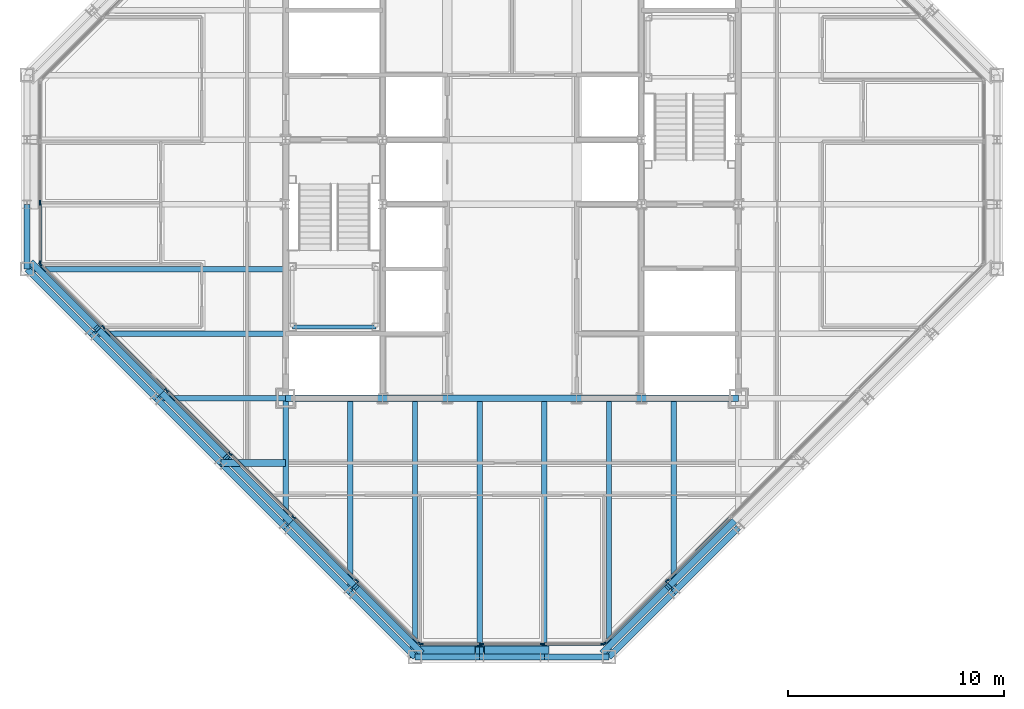
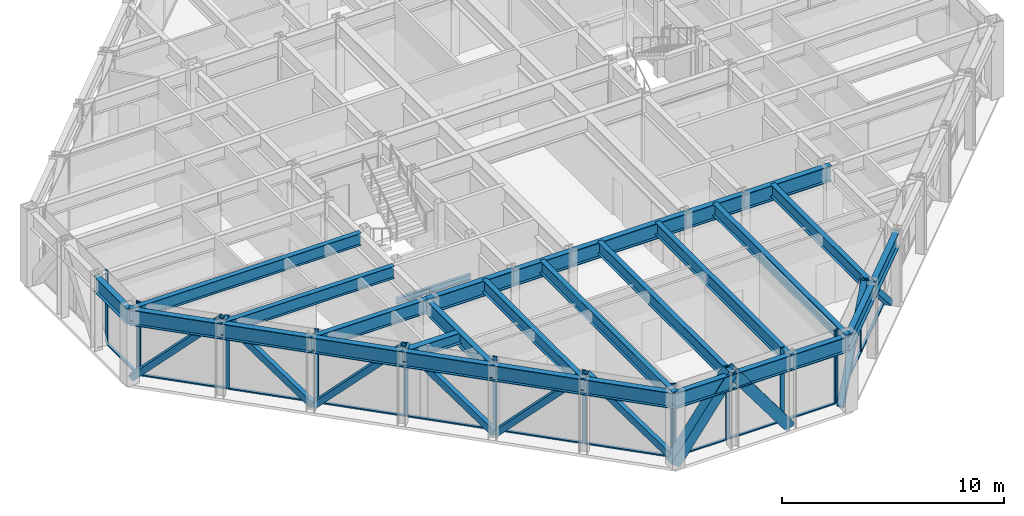
# One storey, part 5 of 15: 37 members, 29 beams, 4 elements without a shape of their own.
"""IFC4 building model written with IfcOpenShell, lengths in metres."""

from ifc_helpers import new_model, si_unit, direction, frame, origin, origin_2d, place, context, subcontext, project, spatial, rectangle, hollow_rectangle, i_section, extrude, material, layer, layer_set, material_profile, profile_set, type_object, element, aggregate, save


model = new_model("IFC4")

# Units and contexts
model_context = context("Model", 3, precision=1e-05, world=origin(), true_north=direction((0.0, 1.0)))
body_context = subcontext(model_context, "Body", "Model", "MODEL_VIEW")
ifc_project = project(units=[si_unit("LENGTHUNIT", "METRE"), si_unit("AREAUNIT", "SQUARE_METRE"), si_unit("VOLUMEUNIT", "CUBIC_METRE"), si_unit("PLANEANGLEUNIT", "RADIAN"), si_unit("MASSUNIT", "GRAM", prefix="KILO")], contexts=[model_context])

# Site, building, storey
site_placement = place(None, origin())
site = spatial("IfcSite", under=ifc_project, at=site_placement, CompositionType="ELEMENT")
building_placement = place(site_placement, origin())
building = spatial("IfcBuilding", under=site, at=building_placement, Name="Chuquiago Exchange Tower", CompositionType="ELEMENT")
storey_placement = place(building_placement, frame((0.0, 0.0, 287.39990234375)))
storey = spatial("IfcBuildingStorey", under=building, at=storey_placement, Name="L64", CompositionType="ELEMENT", Elevation=287.39990234375)

# Beams
ifc_material_1 = material(Name="Steel ASTM A992", Category="steel")
ifc_material_profile_1 = material_profile(ifc_material_1, i_section(OverallWidth=0.25390625, OverallDepth=0.683349609375, WebThickness=0.012451171875, FlangeThickness=0.018798828125, at=origin_2d()), Name="W27X94")
ifc_profile_set_1 = profile_set([ifc_material_profile_1], Name="Steel ASTM A992")
beam_type_1 = type_object("IfcBeamType", Name="B1 W27X94", PredefinedType="BEAM", material=ifc_profile_set_1)
beam_1_placement = place(storey_placement, frame((15.0, 12.0, 3.698486328125), z_axis=(0.0, -1.0, 0.0), x_axis=(1.0, 0.0, 0.0)))
element("IfcBeam", 1, at=beam_1_placement, inside=storey, type_object=beam_type_1, Name="FB-L65-infill-15_12-15_3-0", PredefinedType="BEAM", context=body_context, shape_type="SweptSolid", body=[
    extrude(i_section(OverallWidth=0.25390625, OverallDepth=0.683349609375, WebThickness=0.012451171875, FlangeThickness=0.018798828125, at=origin_2d()), origin(), (0.0, 0.0, 1.0), 9.0),
])
for number, where, z_axis, x_axis, name in (
    (2, (18.0, 12.0, 3.698486328125), (0.0, -1.0, 0.0), (1.0, 0.0, 0.0), "FB-L65-infill-18_12-18_-0-0"),
    (3, (21.0, 12.0, 3.698486328125), (0.0, -1.0, 0.0), (1.0, 0.0, 0.0), "FB-L65-infill-21_12-21_-0-0"),
    (4, (24.0, 12.0, 3.698486328125), (0.0, -1.0, 0.0), (1.0, 0.0, 0.0), "FB-L65-infill-24_12-24_-0-0"),
    (5, (27.0, 12.0, 3.698486328125), (0.0, -1.0, 0.0), (1.0, 0.0, 0.0), "FB-L65-infill-27_12-27_-0-0"),
):
    element("IfcBeam", number, at=place(storey_placement, frame(where, z_axis=z_axis, x_axis=x_axis)), inside=storey, type_object=beam_type_1, Name=name, PredefinedType="BEAM", context=body_context, shape_type="SweptSolid", body=[
        extrude(i_section(OverallWidth=0.25390625, OverallDepth=0.683349609375, WebThickness=0.012451171875, FlangeThickness=0.018798828125, at=origin_2d()), origin(), (0.0, 0.0, 1.0), 12.0),
    ])
for number, where, z_axis, x_axis, name in (
    (6, (30.0, 12.0, 3.698486328125), (0.0, -1.0, 0.0), (1.0, 0.0, 0.0), "FB-L65-infill-30_12-30_3-0"),
    (7, (12.0, 15.0, 3.698486328125), (-1.0, 0.0, 0.0), (0.0, -1.0, 0.0), "FB-L65-infill-12_15-3_15-0"),
):
    element("IfcBeam", number, at=place(storey_placement, frame(where, z_axis=z_axis, x_axis=x_axis)), inside=storey, type_object=beam_type_1, Name=name, PredefinedType="BEAM", context=body_context, shape_type="SweptSolid", body=[
        extrude(i_section(OverallWidth=0.25390625, OverallDepth=0.683349609375, WebThickness=0.012451171875, FlangeThickness=0.018798828125, at=origin_2d()), origin(), (0.0, 0.0, 1.0), 9.0),
    ])
beam_2_placement = place(storey_placement, frame((12.0, 18.0, 3.698486328125), z_axis=(-1.0, 0.0, 0.0), x_axis=(0.0, -1.0, 0.0)))
element("IfcBeam", 8, at=beam_2_placement, inside=storey, type_object=beam_type_1, Name="FB-L65-infill-12_18--0_18-0", PredefinedType="BEAM", context=body_context, shape_type="SweptSolid", body=[
    extrude(i_section(OverallWidth=0.25390625, OverallDepth=0.683349609375, WebThickness=0.012451171875, FlangeThickness=0.018798828125, at=origin_2d()), origin(), (0.0, 0.0, 1.0), 12.0),
])
ifc_material_2 = material(Name="Steel ASTM A992", Category="steel")
ifc_material_profile_2 = material_profile(ifc_material_2, i_section(OverallWidth=0.3251953125, OverallDepth=0.612060546875, WebThickness=0.0126953125, FlangeThickness=0.01904296875, at=origin_2d()), Name="W24X104")
ifc_profile_set_2 = profile_set([ifc_material_profile_2], Name="Steel ASTM A992")
beam_type_2 = type_object("IfcBeamType", Name="B2 W24X104", PredefinedType="BEAM", material=ifc_profile_set_2)
beam_3_placement = place(storey_placement, frame((12.0, 9.0, 3.73388671875), z_axis=(-1.0, 0.0, 0.0), x_axis=(0.0, -1.0, 0.0)))
element("IfcBeam", 9, at=beam_3_placement, inside=storey, type_object=beam_type_2, Name="FB-L65-corner-12_9-9_9-0", PredefinedType="BEAM", context=body_context, shape_type="SweptSolid", body=[
    extrude(i_section(OverallWidth=0.3251953125, OverallDepth=0.612060546875, WebThickness=0.0126953125, FlangeThickness=0.01904296875, at=origin_2d()), origin(), (0.0, 0.0, 1.0), 3.0),
])
ifc_material_3 = material(Name="Steel ASTM A992", Category="steel")
ifc_material_profile_3 = material_profile(ifc_material_3, i_section(OverallWidth=0.2919921875, OverallDepth=0.8583984375, WebThickness=0.01708984375, FlangeThickness=0.031005859375, at=origin_2d()), Name="W33X169")
ifc_profile_set_3 = profile_set([ifc_material_profile_3], Name="Steel ASTM A992")
beam_type_3 = type_object("IfcBeamType", Name="B3 W33X169", PredefinedType="BEAM", material=ifc_profile_set_3)
beam_4_placement = place(storey_placement, frame((12.0, 12.0, 3.61083984375), z_axis=(1.0, 0.0, 0.0), x_axis=(0.0, 1.0, 0.0)))
element("IfcBeam", 10, at=beam_4_placement, inside=storey, type_object=beam_type_3, Name="CB-L65-12_12-16.5_12", PredefinedType="BEAM", context=body_context, shape_type="SweptSolid", body=[
    extrude(i_section(OverallWidth=0.2919921875, OverallDepth=0.8583984375, WebThickness=0.01708984375, FlangeThickness=0.031005859375, at=origin_2d()), origin(), (0.0, 0.0, 1.0), 4.5),
])
beam_5_placement = place(storey_placement, frame((16.5, 12.0, 3.61083984375), z_axis=(1.0, 0.0, 0.0), x_axis=(0.0, 1.0, 0.0)))
element("IfcBeam", 11, at=beam_5_placement, inside=storey, type_object=beam_type_3, Name="CB-L65-16.5_12-19.5_12", PredefinedType="BEAM", context=body_context, shape_type="SweptSolid", body=[
    extrude(i_section(OverallWidth=0.2919921875, OverallDepth=0.8583984375, WebThickness=0.01708984375, FlangeThickness=0.031005859375, at=origin_2d()), origin(), (0.0, 0.0, 1.0), 3.0),
])
beam_6_placement = place(storey_placement, frame((19.5, 12.0, 3.61083984375), z_axis=(1.0, 0.0, 0.0), x_axis=(0.0, 1.0, 0.0)))
element("IfcBeam", 12, at=beam_6_placement, inside=storey, type_object=beam_type_3, Name="CB-L65-19.5_12-25.5_12", PredefinedType="BEAM", context=body_context, shape_type="SweptSolid", body=[
    extrude(i_section(OverallWidth=0.2919921875, OverallDepth=0.8583984375, WebThickness=0.01708984375, FlangeThickness=0.031005859375, at=origin_2d()), origin(), (0.0, 0.0, 1.0), 6.0),
])
beam_7_placement = place(storey_placement, frame((25.5, 12.0, 3.61083984375), z_axis=(1.0, 0.0, 0.0), x_axis=(0.0, 1.0, 0.0)))
element("IfcBeam", 13, at=beam_7_placement, inside=storey, type_object=beam_type_3, Name="CB-L65-25.5_12-28.5_12", PredefinedType="BEAM", context=body_context, shape_type="SweptSolid", body=[
    extrude(i_section(OverallWidth=0.2919921875, OverallDepth=0.8583984375, WebThickness=0.01708984375, FlangeThickness=0.031005859375, at=origin_2d()), origin(), (0.0, 0.0, 1.0), 3.0),
])
beam_8_placement = place(storey_placement, frame((28.5, 12.0, 3.61083984375), z_axis=(1.0, 0.0, 0.0), x_axis=(0.0, 1.0, 0.0)))
element("IfcBeam", 14, at=beam_8_placement, inside=storey, type_object=beam_type_3, Name="CB-L65-28.5_12-33_12", PredefinedType="BEAM", context=body_context, shape_type="SweptSolid", body=[
    extrude(i_section(OverallWidth=0.2919921875, OverallDepth=0.8583984375, WebThickness=0.01708984375, FlangeThickness=0.031005859375, at=origin_2d()), origin(), (0.0, 0.0, 1.0), 4.5),
])

# Curtain wall, members
ifc_material_4 = material(Name="Aluminium curtain wall system", Category="aluminium")
ifc_layer_1 = layer(ifc_material_4, 0.22509765625)
ifc_layer_set_1 = layer_set([ifc_layer_1], Name="CW2 office curtain wall")
curtain_wall_type_1 = type_object("IfcCurtainWallType", Name="CW2 office curtain wall", PredefinedType="NOTDEFINED", material=ifc_layer_set_1)
curtain_wall_1_placement = place(storey_placement, origin())
curtain_wall_1 = element("IfcCurtainWall", 15, at=curtain_wall_1_placement, inside=storey, type_object=curtain_wall_type_1, Name="CW2 curtain wall L64", PredefinedType="NOTDEFINED")
ifc_material_5 = material(Name="Aluminium mullion, pale anodised", Category="aluminium")
ifc_material_profile_4 = material_profile(ifc_material_5, rectangle(XDim=0.06494140625, YDim=0.22509765625, at=origin_2d()), Name="AL 65x225")
ifc_profile_set_4 = profile_set([ifc_material_profile_4], Name="Aluminium mullion, pale anodised")
member_type_1 = type_object("IfcMemberType", Name="CW2-M mullion 65x225", PredefinedType="MULLION", material=ifc_profile_set_4)
member_1_placement = place(storey_placement, frame((18.281005859375, 0.60009765625, 0.0), z_axis=(0.0, 0.0, 1.0), x_axis=(0.0, 1.0, 0.0)))
member_1 = element("IfcMember", 16, at=member_1_placement, type_object=member_type_1, Name="CW2 mullion 1", PredefinedType="MULLION", context=body_context, shape_type="SweptSolid", body=[
    extrude(rectangle(XDim=0.06494140625, YDim=0.22509765625, at=origin_2d()), origin(), (0.0, 0.0, 1.0), 4.0400390625),
])
member_2_placement = place(storey_placement, frame((21.082763671875, 0.60009765625, 0.0), z_axis=(0.0, 0.0, 1.0), x_axis=(0.0, 1.0, 0.0)))
member_2 = element("IfcMember", 17, at=member_2_placement, type_object=member_type_1, Name="CW2 mullion 2", PredefinedType="MULLION", context=body_context, shape_type="SweptSolid", body=[
    extrude(rectangle(XDim=0.06494140625, YDim=0.22509765625, at=origin_2d()), origin(), (0.0, 0.0, 1.0), 4.0400390625),
])
member_3_placement = place(storey_placement, frame((23.917236328125, 0.60009765625, 0.0), z_axis=(0.0, 0.0, 1.0), x_axis=(0.0, 1.0, 0.0)))
member_3 = element("IfcMember", 18, at=member_3_placement, type_object=member_type_1, Name="CW2 mullion 3", PredefinedType="MULLION", context=body_context, shape_type="SweptSolid", body=[
    extrude(rectangle(XDim=0.06494140625, YDim=0.22509765625, at=origin_2d()), origin(), (0.0, 0.0, 1.0), 4.0400390625),
])
member_4_placement = place(storey_placement, frame((26.718994140625, 0.60009765625, 0.0), z_axis=(0.0, 0.0, 1.0), x_axis=(0.0, 1.0, 0.0)))
member_4 = element("IfcMember", 19, at=member_4_placement, type_object=member_type_1, Name="CW2 mullion 4", PredefinedType="MULLION", context=body_context, shape_type="SweptSolid", body=[
    extrude(rectangle(XDim=0.06494140625, YDim=0.22509765625, at=origin_2d()), origin(), (0.0, 0.0, 1.0), 4.0400390625),
])

curtain_wall_2_placement = place(storey_placement, origin())
curtain_wall_2 = element("IfcCurtainWall", 20, at=curtain_wall_2_placement, inside=storey, type_object=curtain_wall_type_1, Name="CW2 curtain wall L64", PredefinedType="NOTDEFINED")
member_5_placement = place(storey_placement, frame((0.60009765625, 21.082763671875, 0.0), z_axis=(0.0, 0.0, 1.0), x_axis=(1.0, 0.0, 0.0)))
member_5 = element("IfcMember", 21, at=member_5_placement, type_object=member_type_1, Name="CW2 mullion 3", PredefinedType="MULLION", context=body_context, shape_type="SweptSolid", body=[
    extrude(rectangle(XDim=0.06494140625, YDim=0.22509765625, at=origin_2d()), origin(), (0.0, 0.0, 1.0), 4.0400390625),
])
member_6_placement = place(storey_placement, frame((0.60009765625, 18.281005859375, 0.0), z_axis=(0.0, 0.0, 1.0), x_axis=(1.0, 0.0, 0.0)))
member_6 = element("IfcMember", 22, at=member_6_placement, type_object=member_type_1, Name="CW2 mullion 4", PredefinedType="MULLION", context=body_context, shape_type="SweptSolid", body=[
    extrude(rectangle(XDim=0.06494140625, YDim=0.22509765625, at=origin_2d()), origin(), (0.0, 0.0, 1.0), 4.0400390625),
])

# Member
ifc_material_6 = material(Name="Aluminium transom, pale anodised", Category="aluminium")
ifc_material_profile_5 = material_profile(ifc_material_6, rectangle(XDim=0.139892578125, YDim=0.06494140625, at=origin_2d()), Name="AL 140x65")
ifc_profile_set_5 = profile_set([ifc_material_profile_5], Name="Aluminium transom, pale anodised")
member_type_2 = type_object("IfcMemberType", Name="CW2-T transom 65x140", PredefinedType="MULLION", material=ifc_profile_set_5)
member_7_placement = place(storey_placement, frame((18.3134765625, 0.60009765625, 0.03271484375), z_axis=(1.0, 0.0, 0.0), x_axis=(0.0, 1.0, 0.0)))
member_7 = element("IfcMember", 23, at=member_7_placement, type_object=member_type_2, Name="CW2 transom 1.1", PredefinedType="MULLION", context=body_context, shape_type="SweptSolid", body=[
    extrude(rectangle(XDim=0.139892578125, YDim=0.06494140625, at=origin_2d()), origin(), (0.0, 0.0, 1.0), 2.73681640625),
])

member_8_placement = place(storey_placement, frame((21.115234375, 0.60009765625, 0.03271484375), z_axis=(1.0, 0.0, 0.0), x_axis=(0.0, 1.0, 0.0)))
member_8 = element("IfcMember", 24, at=member_8_placement, type_object=member_type_2, Name="CW2 transom 2.1", PredefinedType="MULLION", context=body_context, shape_type="SweptSolid", body=[
    extrude(rectangle(XDim=0.139892578125, YDim=0.06494140625, at=origin_2d()), origin(), (0.0, 0.0, 1.0), 2.76953125),
])

member_9_placement = place(storey_placement, frame((23.94970703125, 0.60009765625, 0.03271484375), z_axis=(1.0, 0.0, 0.0), x_axis=(0.0, 1.0, 0.0)))
member_9 = element("IfcMember", 25, at=member_9_placement, type_object=member_type_2, Name="CW2 transom 3.1", PredefinedType="MULLION", context=body_context, shape_type="SweptSolid", body=[
    extrude(rectangle(XDim=0.139892578125, YDim=0.06494140625, at=origin_2d()), origin(), (0.0, 0.0, 1.0), 2.73681640625),
])

aggregate(curtain_wall_1, [member_1, member_2, member_3, member_4, member_7, member_8, member_9])

member_10_placement = place(storey_placement, frame((0.60009765625, 21.05029296875, 0.03271484375), z_axis=(0.0, -1.0, 0.0), x_axis=(1.0, 0.0, 0.0)))
member_10 = element("IfcMember", 26, at=member_10_placement, type_object=member_type_2, Name="CW2 transom 3.1", PredefinedType="MULLION", context=body_context, shape_type="SweptSolid", body=[
    extrude(rectangle(XDim=0.139892578125, YDim=0.06494140625, at=origin_2d()), origin(), (0.0, 0.0, 1.0), 2.73681640625),
])

aggregate(curtain_wall_2, [member_5, member_6, member_10])

# Curtain wall, members
ifc_material_7 = material(Name="Aluminium curtain wall system", Category="aluminium")
ifc_layer_2 = layer(ifc_material_7, 0.199951171875)
ifc_layer_set_2 = layer_set([ifc_layer_2], Name="CW3 facet curtain wall")
curtain_wall_type_2 = type_object("IfcCurtainWallType", Name="CW3 facet curtain wall", PredefinedType="NOTDEFINED", material=ifc_layer_set_2)
curtain_wall_3_placement = place(storey_placement, origin())
curtain_wall_3 = element("IfcCurtainWall", 27, at=curtain_wall_3_placement, inside=storey, type_object=curtain_wall_type_2, Name="CW3 curtain wall L64", PredefinedType="NOTDEFINED")
ifc_material_8 = material(Name="Aluminium mullion, pale anodised", Category="aluminium")
ifc_material_profile_6 = material_profile(ifc_material_8, rectangle(XDim=0.06494140625, YDim=0.199951171875, at=origin_2d()), Name="AL 65x200")
ifc_profile_set_6 = profile_set([ifc_material_profile_6], Name="Aluminium mullion, pale anodised")
member_type_3 = type_object("IfcMemberType", Name="CW3-M mullion 65x200", PredefinedType="MULLION", material=ifc_profile_set_6)
member_11_placement = place(storey_placement, frame((26.7744140625, 0.623046875, 0.0), z_axis=(0.0, 0.0, 1.0), x_axis=(-0.707106781187, 0.707106781187, 0.0)))
member_11 = element("IfcMember", 28, at=member_11_placement, type_object=member_type_3, Name="CW3 mullion 1", PredefinedType="MULLION", context=body_context, shape_type="SweptSolid", body=[
    extrude(rectangle(XDim=0.06494140625, YDim=0.199951171875, at=origin_2d()), origin(), (0.0, 0.0, 1.0), 4.0400390625),
])
member_12_placement = place(storey_placement, frame((29.69287109375, 3.54150390625, 0.0), z_axis=(0.0, 0.0, 1.0), x_axis=(-0.707106781187, 0.707106781187, 0.0)))
member_12 = element("IfcMember", 29, at=member_12_placement, type_object=member_type_3, Name="CW3 mullion 2", PredefinedType="MULLION", context=body_context, shape_type="SweptSolid", body=[
    extrude(rectangle(XDim=0.06494140625, YDim=0.199951171875, at=origin_2d()), origin(), (0.0, 0.0, 1.0), 4.0400390625),
])

curtain_wall_4_placement = place(storey_placement, origin())
curtain_wall_4 = element("IfcCurtainWall", 30, at=curtain_wall_4_placement, inside=storey, type_object=curtain_wall_type_2, Name="CW3 curtain wall L64", PredefinedType="NOTDEFINED")
member_13_placement = place(storey_placement, frame((0.623046875, 18.2255859375, 0.0), z_axis=(0.0, 0.0, 1.0), x_axis=(0.707106781187, 0.707106781187, 0.0)))
member_13 = element("IfcMember", 31, at=member_13_placement, type_object=member_type_3, Name="CW3 mullion 1", PredefinedType="MULLION", context=body_context, shape_type="SweptSolid", body=[
    extrude(rectangle(XDim=0.06494140625, YDim=0.199951171875, at=origin_2d()), origin(), (0.0, 0.0, 1.0), 4.0400390625),
])
member_14_placement = place(storey_placement, frame((3.54150390625, 15.30712890625, 0.0), z_axis=(0.0, 0.0, 1.0), x_axis=(0.707106781187, 0.707106781187, 0.0)))
member_14 = element("IfcMember", 32, at=member_14_placement, type_object=member_type_3, Name="CW3 mullion 2", PredefinedType="MULLION", context=body_context, shape_type="SweptSolid", body=[
    extrude(rectangle(XDim=0.06494140625, YDim=0.199951171875, at=origin_2d()), origin(), (0.0, 0.0, 1.0), 4.0400390625),
])
member_15_placement = place(storey_placement, frame((6.48291015625, 12.36572265625, 0.0), z_axis=(0.0, 0.0, 1.0), x_axis=(0.707106781187, 0.707106781187, 0.0)))
member_15 = element("IfcMember", 33, at=member_15_placement, type_object=member_type_3, Name="CW3 mullion 3", PredefinedType="MULLION", context=body_context, shape_type="SweptSolid", body=[
    extrude(rectangle(XDim=0.06494140625, YDim=0.199951171875, at=origin_2d()), origin(), (0.0, 0.0, 1.0), 4.0400390625),
])
member_16_placement = place(storey_placement, frame((9.42431640625, 9.42431640625, 0.0), z_axis=(0.0, 0.0, 1.0), x_axis=(0.707106781187, 0.707106781187, 0.0)))
member_16 = element("IfcMember", 34, at=member_16_placement, type_object=member_type_3, Name="CW3 mullion 4", PredefinedType="MULLION", context=body_context, shape_type="SweptSolid", body=[
    extrude(rectangle(XDim=0.06494140625, YDim=0.199951171875, at=origin_2d()), origin(), (0.0, 0.0, 1.0), 4.0400390625),
])
member_17_placement = place(storey_placement, frame((12.36572265625, 6.48291015625, 0.0), z_axis=(0.0, 0.0, 1.0), x_axis=(0.707106781187, 0.707106781187, 0.0)))
member_17 = element("IfcMember", 35, at=member_17_placement, type_object=member_type_3, Name="CW3 mullion 5", PredefinedType="MULLION", context=body_context, shape_type="SweptSolid", body=[
    extrude(rectangle(XDim=0.06494140625, YDim=0.199951171875, at=origin_2d()), origin(), (0.0, 0.0, 1.0), 4.0400390625),
])
member_18_placement = place(storey_placement, frame((15.30712890625, 3.54150390625, 0.0), z_axis=(0.0, 0.0, 1.0), x_axis=(0.707106781187, 0.707106781187, 0.0)))
member_18 = element("IfcMember", 36, at=member_18_placement, type_object=member_type_3, Name="CW3 mullion 6", PredefinedType="MULLION", context=body_context, shape_type="SweptSolid", body=[
    extrude(rectangle(XDim=0.06494140625, YDim=0.199951171875, at=origin_2d()), origin(), (0.0, 0.0, 1.0), 4.0400390625),
])
member_19_placement = place(storey_placement, frame((18.2255859375, 0.623046875, 0.0), z_axis=(0.0, 0.0, 1.0), x_axis=(0.707106781187, 0.707106781187, 0.0)))
member_19 = element("IfcMember", 37, at=member_19_placement, type_object=member_type_3, Name="CW3 mullion 7", PredefinedType="MULLION", context=body_context, shape_type="SweptSolid", body=[
    extrude(rectangle(XDim=0.06494140625, YDim=0.199951171875, at=origin_2d()), origin(), (0.0, 0.0, 1.0), 4.0400390625),
])

# Member
ifc_material_9 = material(Name="Aluminium transom, pale anodised", Category="aluminium")
ifc_material_profile_7 = material_profile(ifc_material_9, rectangle(XDim=0.139892578125, YDim=0.06494140625, at=origin_2d()), Name="AL 140x65")
ifc_profile_set_7 = profile_set([ifc_material_profile_7], Name="Aluminium transom, pale anodised")
member_type_4 = type_object("IfcMemberType", Name="CW3-T transom 65x140", PredefinedType="MULLION", material=ifc_profile_set_7)
member_20_placement = place(storey_placement, frame((26.79736328125, 0.64599609375, 0.03271484375), z_axis=(0.707106781187, 0.707106781187, 0.0), x_axis=(-0.707106781187, 0.707106781187, 0.0)))
member_20 = element("IfcMember", 38, at=member_20_placement, type_object=member_type_4, Name="CW3 transom 1.1", PredefinedType="MULLION", context=body_context, shape_type="SweptSolid", body=[
    extrude(rectangle(XDim=0.139892578125, YDim=0.06494140625, at=origin_2d()), origin(), (0.0, 0.0, 1.0), 4.0625),
])

member_21_placement = place(storey_placement, frame((29.7158203125, 3.564453125, 0.03271484375), z_axis=(0.707106781187, 0.707106781187, 0.0), x_axis=(-0.707106781187, 0.707106781187, 0.0)))
member_21 = element("IfcMember", 39, at=member_21_placement, type_object=member_type_4, Name="CW3 transom 2.1", PredefinedType="MULLION", context=body_context, shape_type="SweptSolid", body=[
    extrude(rectangle(XDim=0.139892578125, YDim=0.06494140625, at=origin_2d()), origin(), (0.0, 0.0, 1.0), 4.094970703125),
])

aggregate(curtain_wall_3, [member_11, member_12, member_20, member_21])

member_22_placement = place(storey_placement, frame((0.64599609375, 18.20263671875, 0.03271484375), z_axis=(0.707106781187, -0.707106781187, 0.0), x_axis=(0.707106781187, 0.707106781187, 0.0)))
member_22 = element("IfcMember", 40, at=member_22_placement, type_object=member_type_4, Name="CW3 transom 1.1", PredefinedType="MULLION", context=body_context, shape_type="SweptSolid", body=[
    extrude(rectangle(XDim=0.139892578125, YDim=0.06494140625, at=origin_2d()), origin(), (0.0, 0.0, 1.0), 4.0625),
])

member_23_placement = place(storey_placement, frame((3.564453125, 15.2841796875, 0.03271484375), z_axis=(0.707106781187, -0.707106781187, 0.0), x_axis=(0.707106781187, 0.707106781187, 0.0)))
member_23 = element("IfcMember", 41, at=member_23_placement, type_object=member_type_4, Name="CW3 transom 2.1", PredefinedType="MULLION", context=body_context, shape_type="SweptSolid", body=[
    extrude(rectangle(XDim=0.139892578125, YDim=0.06494140625, at=origin_2d()), origin(), (0.0, 0.0, 1.0), 4.094970703125),
])

member_24_placement = place(storey_placement, frame((6.505859375, 12.3427734375, 0.03271484375), z_axis=(0.707106781187, -0.707106781187, 0.0), x_axis=(0.707106781187, 0.707106781187, 0.0)))
member_24 = element("IfcMember", 42, at=member_24_placement, type_object=member_type_4, Name="CW3 transom 3.1", PredefinedType="MULLION", context=body_context, shape_type="SweptSolid", body=[
    extrude(rectangle(XDim=0.139892578125, YDim=0.06494140625, at=origin_2d()), origin(), (0.0, 0.0, 1.0), 4.094970703125),
])

member_25_placement = place(storey_placement, frame((9.447265625, 9.4013671875, 0.03271484375), z_axis=(0.707106781187, -0.707106781187, 0.0), x_axis=(0.707106781187, 0.707106781187, 0.0)))
member_25 = element("IfcMember", 43, at=member_25_placement, type_object=member_type_4, Name="CW3 transom 4.1", PredefinedType="MULLION", context=body_context, shape_type="SweptSolid", body=[
    extrude(rectangle(XDim=0.139892578125, YDim=0.06494140625, at=origin_2d()), origin(), (0.0, 0.0, 1.0), 4.094970703125),
])

member_26_placement = place(storey_placement, frame((12.388671875, 6.4599609375, 0.03271484375), z_axis=(0.707106781187, -0.707106781187, 0.0), x_axis=(0.707106781187, 0.707106781187, 0.0)))
member_26 = element("IfcMember", 44, at=member_26_placement, type_object=member_type_4, Name="CW3 transom 5.1", PredefinedType="MULLION", context=body_context, shape_type="SweptSolid", body=[
    extrude(rectangle(XDim=0.139892578125, YDim=0.06494140625, at=origin_2d()), origin(), (0.0, 0.0, 1.0), 4.094970703125),
])

member_27_placement = place(storey_placement, frame((15.330078125, 3.5185546875, 0.03271484375), z_axis=(0.707106781187, -0.707106781187, 0.0), x_axis=(0.707106781187, 0.707106781187, 0.0)))
member_27 = element("IfcMember", 45, at=member_27_placement, type_object=member_type_4, Name="CW3 transom 6.1", PredefinedType="MULLION", context=body_context, shape_type="SweptSolid", body=[
    extrude(rectangle(XDim=0.139892578125, YDim=0.06494140625, at=origin_2d()), origin(), (0.0, 0.0, 1.0), 4.0625),
])

aggregate(curtain_wall_4, [member_13, member_14, member_15, member_16, member_17, member_18, member_19, member_22, member_23, member_24, member_25, member_26, member_27])

# Beams
ifc_material_10 = material(Name="Steel ASTM A992", Category="steel")
ifc_material_profile_8 = material_profile(ifc_material_10, i_section(OverallWidth=0.2666015625, OverallDepth=0.76953125, WebThickness=0.015625, FlangeThickness=0.025390625, at=origin_2d()), Name="W30X132")
ifc_profile_set_8 = profile_set([ifc_material_profile_8], Name="Steel ASTM A992")
beam_type_4 = type_object("IfcBeamType", Name="G1 W30X132", PredefinedType="BEAM", material=ifc_profile_set_8)
for number, where, z_axis, x_axis, name in (
    (46, (12.0, 12.0, 3.6552734375), (0.0, -1.0, 0.0), (1.0, 0.0, 0.0), "FB-L65-girder-12_12-12_6-0"),
    (47, (12.0, 12.0, 3.6552734375), (-1.0, 0.0, 0.0), (0.0, -1.0, 0.0), "FB-L65-girder-12_12-6_12-0"),
):
    element("IfcBeam", number, at=place(storey_placement, frame(where, z_axis=z_axis, x_axis=x_axis)), inside=storey, type_object=beam_type_4, Name=name, PredefinedType="BEAM", context=body_context, shape_type="SweptSolid", body=[
        extrude(i_section(OverallWidth=0.2666015625, OverallDepth=0.76953125, WebThickness=0.015625, FlangeThickness=0.025390625, at=origin_2d()), origin(), (0.0, 0.0, 1.0), 6.0),
    ])

# Members
ifc_material_11 = material(Name="Steel ASTM A500 Grade C", Category="steel")
ifc_material_profile_9 = material_profile(ifc_material_11, hollow_rectangle(XDim=0.3046875, YDim=0.3046875, WallThickness=0.0146484375, at=origin_2d()), Name="HSS12X12X5/8")
ifc_profile_set_9 = profile_set([ifc_material_profile_9], Name="Steel ASTM A500 Grade C")
member_type_5 = type_object("IfcMemberType", Name="LB3 HSS12X12X5/8", PredefinedType="BRACE", material=ifc_profile_set_9)
for number, where, z_axis, x_axis, name in (
    (48, (26.750732421875, 0.249267578125, 0.0), (0.512077265487, 0.512077265487, 0.689604051861), (-0.707106781187, 0.707106781187, 0.0), "LB-L64-27_0-30_3"),
    (49, (32.750732421875, 6.249267578125, 0.0), (-0.512077265487, -0.512077265487, 0.689604051861), (0.707106781187, -0.707106781187, 0.0), "LB-L64-30_3-33_6"),
    (50, (0.249267578125, 18.249267578125, 0.0), (0.512077265487, -0.512077265487, 0.689604051861), (0.707106781187, 0.707106781187, 0.0), "LB-L64-0_18-3_15"),
    (51, (6.249267578125, 12.249267578125, 0.0), (-0.512077265487, 0.512077265487, 0.689604051861), (-0.707106781187, -0.707106781187, 0.0), "LB-L64-3_15-6_12"),
    (52, (6.249267578125, 12.249267578125, 0.0), (0.512077265487, -0.512077265487, 0.689604051861), (0.707106781187, 0.707106781187, 0.0), "LB-L64-6_12-9_9"),
    (53, (12.249267578125, 6.249267578125, 0.0), (-0.512077265487, 0.512077265487, 0.689604051861), (-0.707106781187, -0.707106781187, 0.0), "LB-L64-9_9-12_6"),
    (54, (12.249267578125, 6.249267578125, 0.0), (0.512077265487, -0.512077265487, 0.689604051861), (0.707106781187, 0.707106781187, 0.0), "LB-L64-12_6-15_3"),
    (55, (18.249267578125, 0.249267578125, 0.0), (-0.512077265487, 0.512077265487, 0.689604051861), (-0.707106781187, -0.707106781187, 0.0), "LB-L64-15_3-18_0"),
):
    element("IfcMember", number, at=place(storey_placement, frame(where, z_axis=z_axis, x_axis=x_axis)), inside=storey, type_object=member_type_5, Name=name, PredefinedType="BRACE", context=body_context, shape_type="SweptSolid", body=[
        extrude(hollow_rectangle(XDim=0.3046875, YDim=0.3046875, WallThickness=0.0146484375, at=origin_2d()), origin(), (0.0, 0.0, 1.0), 5.8583984375),
    ])

# Beam
ifc_material_12 = material(Name="Steel ASTM A992", Category="steel")
ifc_material_profile_10 = material_profile(ifc_material_12, i_section(OverallWidth=0.164794921875, OverallDepth=0.309814453125, WebThickness=0.005859375, FlangeThickness=0.009765625, at=origin_2d()), Name="W12X26")
ifc_profile_set_10 = profile_set([ifc_material_profile_10], Name="Steel ASTM A992")
beam_type_5 = type_object("IfcBeamType", Name="LT1 W12X26", PredefinedType="BEAM", material=ifc_profile_set_10)
beam_9_placement = place(storey_placement, frame((12.31005859375, 15.31005859375, 1.7451171875), z_axis=(1.0, 0.0, 0.0), x_axis=(0.0, 1.0, 0.0)))
element("IfcBeam", 56, at=beam_9_placement, inside=storey, type_object=beam_type_5, Name="Stair ST1 L64 landing 1 trimmer", PredefinedType="BEAM", context=body_context, shape_type="SweptSolid", body=[
    extrude(i_section(OverallWidth=0.164794921875, OverallDepth=0.309814453125, WebThickness=0.005859375, FlangeThickness=0.009765625, at=origin_2d()), origin(), (0.0, 0.0, 1.0), 3.8798828125),
])

# Members
ifc_material_13 = material(Name="Steel ASTM A572 Grade 50", Category="steel")
ifc_material_profile_11 = material_profile(ifc_material_13, hollow_rectangle(XDim=0.550048828125, YDim=0.550048828125, WallThickness=0.044921875, at=origin_2d()), Name="BOX550X550X45")
ifc_profile_set_11 = profile_set([ifc_material_profile_11], Name="Steel ASTM A572 Grade 50")
member_type_6 = type_object("IfcMemberType", Name="MB4 BOX550X550X45", PredefinedType="BRACE", material=ifc_profile_set_11)
for number, where, z_axis, x_axis, name in (
    (57, (18.0, 0.22998046875, 0.0), (0.596173923302, 0.0, 0.802855312728), (0.0, 1.0, 0.0), "Mega diagonal L64 S face"),
    (58, (24.0, 0.22998046875, 0.0), (-0.596173923302, 0.0, 0.802855312728), (0.0, -1.0, 0.0), "Mega diagonal L64 S face"),
):
    element("IfcMember", number, at=place(storey_placement, frame(where, z_axis=z_axis, x_axis=x_axis)), inside=storey, type_object=member_type_6, Name=name, PredefinedType="BRACE", context=body_context, shape_type="SweptSolid", body=[
        extrude(hollow_rectangle(XDim=0.550048828125, YDim=0.550048828125, WallThickness=0.044921875, at=origin_2d()), origin(), (0.0, 0.0, 1.0), 5.031982421875),
    ])

# Beams
ifc_material_14 = material(Name="Steel ASTM A992", Category="steel")
ifc_material_profile_12 = material_profile(ifc_material_14, i_section(OverallWidth=0.2919921875, OverallDepth=0.8583984375, WebThickness=0.01708984375, FlangeThickness=0.031005859375, at=origin_2d()), Name="W33X169")
ifc_profile_set_12 = profile_set([ifc_material_profile_12], Name="Steel ASTM A992")
beam_type_6 = type_object("IfcBeamType", Name="SP4 W33X169", PredefinedType="SPANDREL", material=ifc_profile_set_12)
for number, where, z_axis, x_axis, name in (
    (59, (18.0, 0.0, 3.61083984375), (1.0, 0.0, 0.0), (0.0, 1.0, 0.0), "SPB-L65-18_0-21_0"),
    (60, (21.0, 0.0, 3.61083984375), (1.0, 0.0, 0.0), (0.0, 1.0, 0.0), "SPB-L65-21_0-24_0"),
    (61, (24.0, 0.0, 3.61083984375), (1.0, 0.0, 0.0), (0.0, 1.0, 0.0), "SPB-L65-24_0-27_0"),
):
    element("IfcBeam", number, at=place(storey_placement, frame(where, z_axis=z_axis, x_axis=x_axis)), inside=storey, type_object=beam_type_6, Name=name, PredefinedType="SPANDREL", context=body_context, shape_type="SweptSolid", body=[
        extrude(i_section(OverallWidth=0.2919921875, OverallDepth=0.8583984375, WebThickness=0.01708984375, FlangeThickness=0.031005859375, at=origin_2d()), origin(), (0.0, 0.0, 1.0), 3.0),
    ])
for number, where, z_axis, x_axis, name in (
    (62, (27.0, 0.0, 3.61083984375), (0.707106781187, 0.707106781187, 0.0), (-0.707106781187, 0.707106781187, 0.0), "SPB-L65-27_0-30_3"),
    (63, (30.0, 3.0, 3.61083984375), (0.707106781187, 0.707106781187, 0.0), (-0.707106781187, 0.707106781187, 0.0), "SPB-L65-30_3-33_6"),
):
    element("IfcBeam", number, at=place(storey_placement, frame(where, z_axis=z_axis, x_axis=x_axis)), inside=storey, type_object=beam_type_6, Name=name, PredefinedType="SPANDREL", context=body_context, shape_type="SweptSolid", body=[
        extrude(i_section(OverallWidth=0.2919921875, OverallDepth=0.8583984375, WebThickness=0.01708984375, FlangeThickness=0.031005859375, at=origin_2d()), origin(), (0.0, 0.0, 1.0), 4.24267578125),
    ])
beam_10_placement = place(storey_placement, frame((0.0, 21.0, 3.61083984375), z_axis=(0.0, -1.0, 0.0), x_axis=(1.0, 0.0, 0.0)))
element("IfcBeam", 64, at=beam_10_placement, inside=storey, type_object=beam_type_6, Name="SPB-L65-0_21-0_18", PredefinedType="SPANDREL", context=body_context, shape_type="SweptSolid", body=[
    extrude(i_section(OverallWidth=0.2919921875, OverallDepth=0.8583984375, WebThickness=0.01708984375, FlangeThickness=0.031005859375, at=origin_2d()), origin(), (0.0, 0.0, 1.0), 3.0),
])
for number, where, z_axis, x_axis, name in (
    (65, (0.0, 18.0, 3.61083984375), (0.707106781187, -0.707106781187, 0.0), (0.707106781187, 0.707106781187, 0.0), "SPB-L65-0_18-3_15"),
    (66, (3.0, 15.0, 3.61083984375), (0.707106781187, -0.707106781187, 0.0), (0.707106781187, 0.707106781187, 0.0), "SPB-L65-3_15-6_12"),
    (67, (6.0, 12.0, 3.61083984375), (0.707106781187, -0.707106781187, 0.0), (0.707106781187, 0.707106781187, 0.0), "SPB-L65-6_12-9_9"),
    (68, (9.0, 9.0, 3.61083984375), (0.707106781187, -0.707106781187, 0.0), (0.707106781187, 0.707106781187, 0.0), "SPB-L65-9_9-12_6"),
    (69, (12.0, 6.0, 3.61083984375), (0.707106781187, -0.707106781187, 0.0), (0.707106781187, 0.707106781187, 0.0), "SPB-L65-12_6-15_3"),
    (70, (15.0, 3.0, 3.61083984375), (0.707106781187, -0.707106781187, 0.0), (0.707106781187, 0.707106781187, 0.0), "SPB-L65-15_3-18_0"),
):
    element("IfcBeam", number, at=place(storey_placement, frame(where, z_axis=z_axis, x_axis=x_axis)), inside=storey, type_object=beam_type_6, Name=name, PredefinedType="SPANDREL", context=body_context, shape_type="SweptSolid", body=[
        extrude(i_section(OverallWidth=0.2919921875, OverallDepth=0.8583984375, WebThickness=0.01708984375, FlangeThickness=0.031005859375, at=origin_2d()), origin(), (0.0, 0.0, 1.0), 4.24267578125),
    ])

save(model, "model.ifc")
